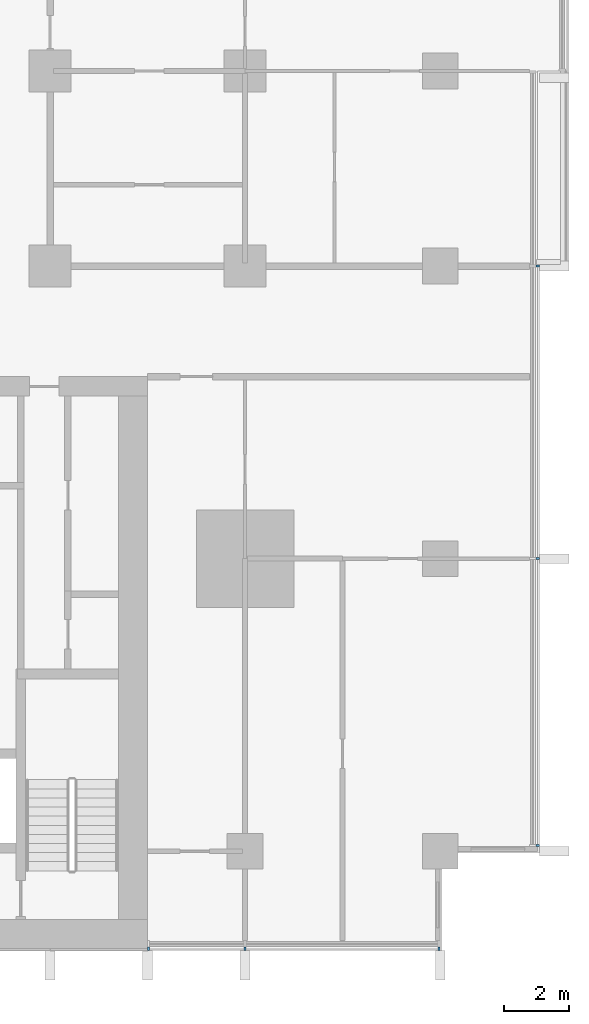
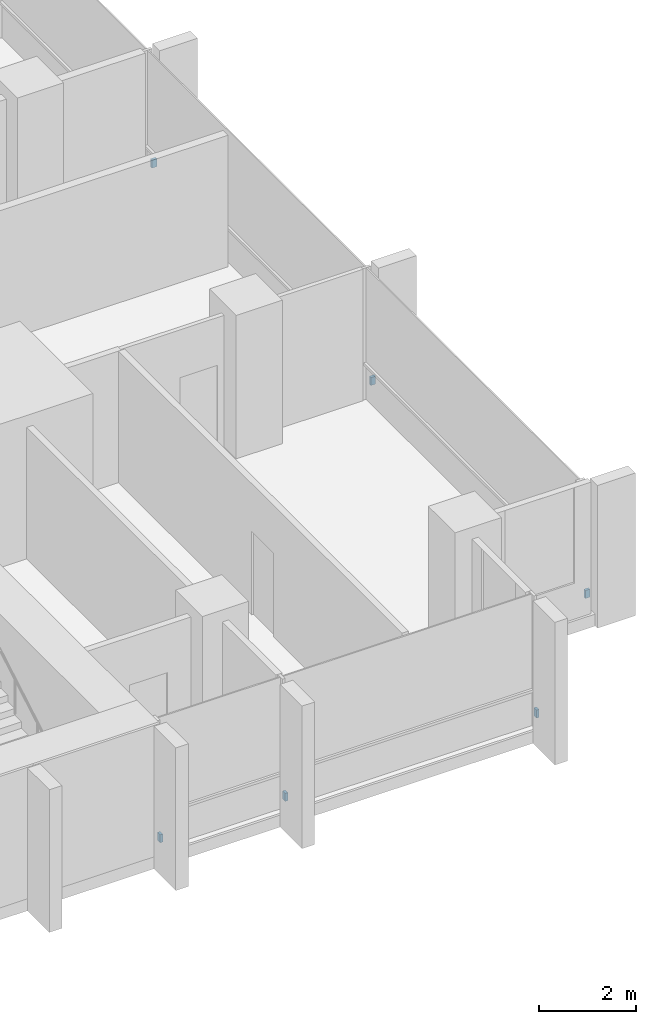
# One storey, part 14 of 17: 6 discrete accessories.
"""IFC4 building model written with IfcOpenShell, lengths in metres."""

import ifcopenshell
import ifcopenshell.guid

model = None  # the IFC model being written
_history = None  # IfcOwnerHistory: only IFC2X3 demands one
_inside = {}  # id of a spatial element -> (the spatial element, [elements in it])
_under = {}  # id of a project, library or spatial element -> (it, [spatial elements below it])
_declared = {}  # id of a project -> (the project, [libraries it declares])
_typed = {}  # id of a type object -> (the type object, [elements of that type])
_made_of = {}  # id of a material, layer set ... -> (it, [elements and type objects made of it])


def new_model(schema):
    """Start an empty IFC model of exactly this schema.

    Asked for "IFC4X3", IfcOpenShell would pick the latest addendum, in which some entities
    have other attributes; the version numbers below select the first issue.
    IFC2X3 requires an IfcOwnerHistory on every rooted entity: one is made here for all.
    """
    global model, _history
    if schema == "IFC4X3":
        model = ifcopenshell.file(schema_version=(4, 3, 0, 0))
    else:
        model = ifcopenshell.file(schema=schema)
    _inside.clear()
    _under.clear()
    _declared.clear()
    _typed.clear()
    _made_of.clear()
    _history = None
    if model.schema == "IFC2X3":
        org = make("IfcOrganization", Name="unknown")
        user = make(
            "IfcPersonAndOrganization",
            ThePerson=make("IfcPerson", FamilyName="unknown"),
            TheOrganization=org,
        )
        app = make(
            "IfcApplication",
            ApplicationDeveloper=org,
            Version="unknown",
            ApplicationFullName="unknown",
            ApplicationIdentifier="unknown",
        )
        _history = make(
            "IfcOwnerHistory",
            OwningUser=user,
            OwningApplication=app,
            ChangeAction="ADDED",
            CreationDate=0,
        )
    return model


def make(cls, **values):
    """One entity of the class cls with the attributes given. An attribute that is None is left unset."""
    return model.create_entity(
        cls, **{name: value for name, value in values.items() if value is not None}
    )


def rooted(cls, **values):
    """An entity with a GlobalId (a new one), such as an element, a storey or a relation."""
    return make(cls, GlobalId=ifcopenshell.guid.new(), OwnerHistory=_history, **values)


def si_unit(unit_type, name, prefix=None):
    """IfcSIUnit, for example si_unit("LENGTHUNIT", "METRE", prefix="MILLI")."""
    return make("IfcSIUnit", UnitType=unit_type, Prefix=prefix, Name=name)


def assignment(units):
    """IfcUnitAssignment: the units of a project."""
    return None if units is None else make("IfcUnitAssignment", Units=units)


def point(xyz):
    """IfcCartesianPoint."""
    return None if xyz is None else make("IfcCartesianPoint", Coordinates=xyz)


def direction(xyz):
    """IfcDirection."""
    return None if xyz is None else make("IfcDirection", DirectionRatios=xyz)


def frame(location, z_axis=None, x_axis=None):
    """IfcAxis2Placement3D, a coordinate frame: its origin and axes. An axis left out is left unset."""
    return make(
        "IfcAxis2Placement3D",
        Location=point(location),
        Axis=direction(z_axis),
        RefDirection=direction(x_axis),
    )


def frame_2d(location, x_axis=None):
    """IfcAxis2Placement2D, a coordinate frame in the plane: its origin and x axis."""
    return make(
        "IfcAxis2Placement2D", Location=point(location), RefDirection=direction(x_axis)
    )


def origin():
    """The frame at (0, 0, 0) with its axes left unset."""
    return frame((0.0, 0.0, 0.0))


def origin_2d():
    """The frame at (0, 0) in the plane with its x axis left unset."""
    return frame_2d((0.0, 0.0))


def place(relative_to, where):
    """IfcLocalPlacement: puts the frame where relative to a parent placement (None: the world)."""
    return make(
        "IfcLocalPlacement", PlacementRelTo=relative_to, RelativePlacement=where
    )


def context(
    kind, dimensions, precision=None, world=None, true_north=None, identifier=None
):
    """IfcGeometricRepresentationContext, for example the 3D "Model" context."""
    return make(
        "IfcGeometricRepresentationContext",
        ContextIdentifier=identifier,
        ContextType=kind,
        CoordinateSpaceDimension=dimensions,
        Precision=precision,
        WorldCoordinateSystem=world,
        TrueNorth=true_north,
    )


def subcontext(parent, identifier, kind, view, scale=None):
    """IfcGeometricRepresentationSubContext, for example "Body" below "Model"."""
    return make(
        "IfcGeometricRepresentationSubContext",
        ContextIdentifier=identifier,
        ContextType=kind,
        ParentContext=parent,
        TargetScale=scale,
        TargetView=view,
    )


def project(units=None, contexts=None):
    """IfcProject with its units and contexts."""
    return rooted(
        "IfcProject",
        Name="project",
        RepresentationContexts=contexts,
        UnitsInContext=assignment(units),
    )


def spatial(cls, under=None, at=None, **own):
    """A site, building, storey or space (cls), placed at a placement, below another one or the project."""
    s = rooted(cls, ObjectPlacement=at, **own)
    if under is not None:
        _under.setdefault(under.id(), (under, []))[1].append(s)
    return s


def profile(cls, at=None, kind="AREA", **sizes):
    """A parametric profile (cls). Its sizes go by their IFC names, for example OverallWidth=200.0."""
    return make(cls, ProfileType=kind, Position=at, **sizes)


def rectangle(**sizes):
    """IfcRectangleProfileDef."""
    return profile("IfcRectangleProfileDef", **sizes)


def extrude(swept, where, along, depth):
    """IfcExtrudedAreaSolid: the profile swept, set in the frame where, extruded along a direction by depth."""
    return make(
        "IfcExtrudedAreaSolid",
        SweptArea=swept,
        Position=where,
        ExtrudedDirection=direction(along),
        Depth=depth,
    )


def shape(context_of_items, identifier, shape_type, items):
    """IfcShapeRepresentation: the items that make up one representation, for example the "Body"."""
    return make(
        "IfcShapeRepresentation",
        ContextOfItems=context_of_items,
        RepresentationIdentifier=identifier,
        RepresentationType=shape_type,
        Items=items,
    )


def material(Name=None, Category=None):
    """IfcMaterial."""
    return make("IfcMaterial", Name=Name, Category=Category)


def made_of(thing, what):
    """Note that an element or type object is made of a material, layer set ...; save() writes the relation."""
    if what is not None:
        _made_of.setdefault(what.id(), (what, []))[1].append(thing)
    return thing


def type_object(cls, material=None, **own):
    """A type object (cls), such as IfcWallType, which elements share."""
    return made_of(rooted(cls, **own), material)


def element(
    cls,
    number,
    at=None,
    inside=None,
    cuts=None,
    type_object=None,
    material=None,
    context=None,
    identifier="Body",
    shape_type=None,
    held_by="IfcProductDefinitionShape",
    body=None,
    shapes=None,
    **own,
):
    """One element of the class cls, such as IfcWall. Its Tag is "e" and its number.

    at: its placement. inside: the storey or other place that contains it. cuts: it is an
    opening in that element (IfcRelVoidsElement). A single representation is given by context,
    identifier, shape_type and body (its items); several are given by shapes. held_by: the class
    of the entity that holds the representations. save() writes the other relations.
    """
    e = rooted(cls, Tag="e%d" % number, ObjectPlacement=at, **own)
    if body is not None:
        shapes = [shape(context, identifier, shape_type, body)]
    if shapes is not None:
        e.Representation = make(held_by, Representations=shapes)
    if inside is not None:
        _inside.setdefault(inside.id(), (inside, []))[1].append(e)
    if cuts is not None:
        rooted(
            "IfcRelVoidsElement", RelatingBuildingElement=cuts, RelatedOpeningElement=e
        )
    if type_object is not None:
        _typed.setdefault(type_object.id(), (type_object, []))[1].append(e)
    return made_of(e, material)


def aggregate(whole, parts):
    """IfcRelAggregates: a whole, such as a stair, and the parts it consists of."""
    return rooted("IfcRelAggregates", RelatingObject=whole, RelatedObjects=parts)


def save(model, path):
    """Write the relations noted so far, then the file.

    IfcRelAggregates (storeys below a building ...), IfcRelContainedInSpatialStructure (elements
    in a storey), IfcRelDefinesByType, IfcRelAssociatesMaterial and IfcRelDeclares: one each for
    every whole, place, type object, material and project.
    """
    for whole, parts in _under.values():
        aggregate(whole, parts)
    for where, things in _inside.values():
        rooted(
            "IfcRelContainedInSpatialStructure",
            RelatedElements=things,
            RelatingStructure=where,
        )
    for kind, things in _typed.values():
        rooted("IfcRelDefinesByType", RelatedObjects=things, RelatingType=kind)
    for what, things in _made_of.values():
        rooted("IfcRelAssociatesMaterial", RelatedObjects=things, RelatingMaterial=what)
    for by, libraries in _declared.values():
        rooted("IfcRelDeclares", RelatingContext=by, RelatedDefinitions=libraries)
    model.write(path)


model = new_model("IFC4")

# Units and contexts
model_context = context("Model", 3, precision=1e-05, world=origin(), true_north=direction((0.0, 1.0)))
body_context = subcontext(model_context, "Body", "Model", "MODEL_VIEW")
ifc_project = project(units=[si_unit("LENGTHUNIT", "METRE"), si_unit("AREAUNIT", "SQUARE_METRE"), si_unit("VOLUMEUNIT", "CUBIC_METRE"), si_unit("PLANEANGLEUNIT", "RADIAN"), si_unit("MASSUNIT", "GRAM", prefix="KILO")], contexts=[model_context])

# Site, building, storey
site_placement = place(None, origin())
site = spatial("IfcSite", under=ifc_project, at=site_placement, CompositionType="ELEMENT")
building_placement = place(site_placement, origin())
building = spatial("IfcBuilding", under=site, at=building_placement, Name="Finial Court Residences", CompositionType="ELEMENT")
storey_placement = place(building_placement, frame((0.0, 0.0, 61.300048828125)))
storey = spatial("IfcBuildingStorey", under=building, at=storey_placement, Name="L14", CompositionType="ELEMENT", Elevation=61.300048828125)

# Discrete accessories
ifc_material = material(Name="Stainless steel 316", Category="steel")
discrete_accessory_type = type_object("IfcDiscreteAccessoryType", Name="Fin bracket, stainless steel 65 x 110 x 200", PredefinedType="BRACKET", material=ifc_material)
for number, where, z_axis, x_axis, name in (
    (1, (25.5048828125, -22.3173828125, 0.2998046875), (0.0, 0.0, 1.0), (1.0, 0.0, 0.0), "E-L14-FIN-E9-BRK"),
    (2, (25.5048828125, -13.5, 0.2998046875), (0.0, 0.0, 1.0), (1.0, 0.0, 0.0), "E-L14-FIN-E10-BRK"),
    (3, (25.5048828125, -4.5, 0.2998046875), (0.0, 0.0, 1.0), (1.0, 0.0, 0.0), "E-L14-FIN-E11-BRK"),
):
    element("IfcDiscreteAccessory", number, at=place(storey_placement, frame(where, z_axis=z_axis, x_axis=x_axis)), inside=storey, type_object=discrete_accessory_type, Name=name, PredefinedType="BRACKET", context=body_context, shape_type="SweptSolid", body=[
        extrude(rectangle(XDim=0.110107421875, YDim=0.06494140625, at=origin_2d()), origin(), (0.0, 0.0, 1.0), 0.199951171875),
    ])
for number, where, z_axis, x_axis, name in (
    (4, (13.532470703125, -25.5048828125, 0.2998046875), (0.0, 0.0, 1.0), (1.0, 0.0, 0.0), "E-L14-FIN-S24-BRK"),
    (5, (16.5, -25.5048828125, 0.2998046875), (0.0, 0.0, 1.0), (1.0, 0.0, 0.0), "E-L14-FIN-S25-BRK"),
    (6, (22.467529296875, -25.5048828125, 0.2998046875), (0.0, 0.0, 1.0), (1.0, 0.0, 0.0), "E-L14-FIN-S26-BRK"),
):
    element("IfcDiscreteAccessory", number, at=place(storey_placement, frame(where, z_axis=z_axis, x_axis=x_axis)), inside=storey, type_object=discrete_accessory_type, Name=name, PredefinedType="BRACKET", context=body_context, shape_type="SweptSolid", body=[
        extrude(rectangle(XDim=0.06494140625, YDim=0.110107421875, at=origin_2d()), origin(), (0.0, 0.0, 1.0), 0.199951171875),
    ])

save(model, "model.ifc")
